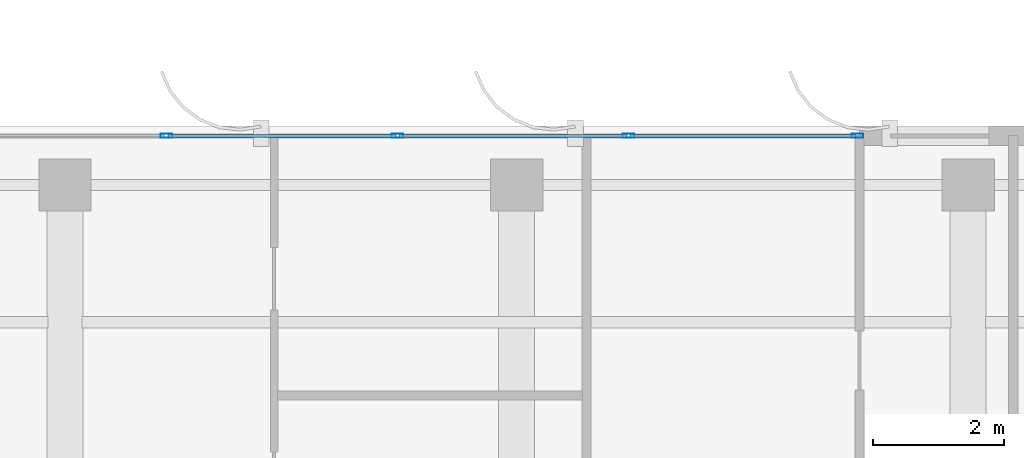
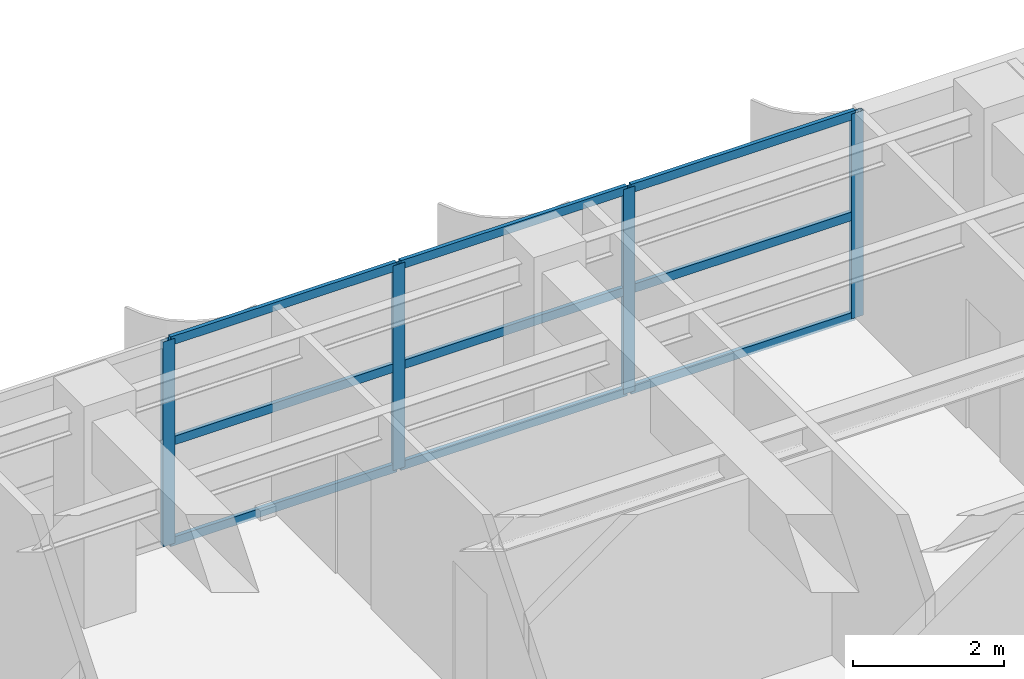
# One storey, part 15 of 22: 13 members, 1 element without a shape of its own.
"""IFC4 building model written with IfcOpenShell, lengths in metres."""

from ifc_helpers import new_model, si_unit, direction, frame, origin, origin_2d, place, context, subcontext, project, spatial, hollow_rectangle, extrude, source, transform, mapped, material, layer, layer_set, material_profile, profile_set, type_object, element, aggregate, save


model = new_model("IFC4")

# Units and contexts
model_context = context("Model", 3, precision=1e-05, world=origin(), true_north=direction((0.0, 1.0)))
body_context = subcontext(model_context, "Body", "Model", "MODEL_VIEW")
ifc_project = project(units=[si_unit("LENGTHUNIT", "METRE"), si_unit("AREAUNIT", "SQUARE_METRE"), si_unit("VOLUMEUNIT", "CUBIC_METRE"), si_unit("PLANEANGLEUNIT", "RADIAN"), si_unit("MASSUNIT", "GRAM", prefix="KILO")], contexts=[model_context])

# Site, building, storey
site_placement = place(None, origin())
site = spatial("IfcSite", under=ifc_project, at=site_placement, CompositionType="ELEMENT")
building_placement = place(site_placement, origin())
building = spatial("IfcBuilding", under=site, at=building_placement, Name="Khoralis Quay Care Tower", CompositionType="ELEMENT")
storey_placement = place(building_placement, frame((0.0, 0.0, 278.10009765625)))
storey = spatial("IfcBuildingStorey", under=building, at=storey_placement, Name="L73", CompositionType="ELEMENT", Elevation=278.10009765625)

# Curtain wall, members
ifc_material = material(Name="Pale anodised aluminium", Category="aluminium")
ifc_layer = layer(ifc_material, 0.159912109375)
ifc_layer_set = layer_set([ifc_layer], Name="Pale anodised aluminium")
curtain_wall_type = type_object("IfcCurtainWallType", Name="CW-SYS-Z3", PredefinedType="NOTDEFINED", material=ifc_layer_set)
curtain_wall_placement = place(storey_placement, origin())
curtain_wall = element("IfcCurtainWall", 1, at=curtain_wall_placement, inside=storey, type_object=curtain_wall_type, Name="L73 Unitised Curtain Wall CW-L73-P1-E10", PredefinedType="NOTDEFINED")
ifc_material_profile_1 = material_profile(ifc_material, hollow_rectangle(XDim=0.06494140625, YDim=0.179931640625, WallThickness=0.00390625, at=origin_2d()), Name="Pale anodised aluminium")
ifc_profile_set_1 = profile_set([ifc_material_profile_1], Name="Pale anodised aluminium")
member_type_1 = type_object("IfcMemberType", Name="CW-MUL-180", PredefinedType="MULLION", material=ifc_profile_set_1)
shared_shape_1 = source(origin(), body_context, "Body", "SweptSolid", [
    extrude(hollow_rectangle(XDim=0.06494140625, YDim=0.179931640625, WallThickness=0.00390625, at=origin_2d()), origin(), (0.0, 0.0, 1.0), 3.31982421875),
])
member_1_placement = place(storey_placement, frame((29.2099609375, 41.85009765625, 0.0), z_axis=(0.0, 0.0, 1.0), x_axis=(0.0, -1.0, 0.0)))
member_1 = element("IfcMember", 2, at=member_1_placement, type_object=member_type_1, Name="CW3 mullion 1", PredefinedType="MULLION", context=body_context, shape_type="MappedRepresentation", body=[
    mapped(shared_shape_1, transform((0.0, 0.0, 0.0), scale=1.0)),
])
member_2_placement = place(storey_placement, frame((25.7099609375, 41.85009765625, 0.0), z_axis=(0.0, 0.0, 1.0), x_axis=(0.0, -1.0, 0.0)))
member_2 = element("IfcMember", 3, at=member_2_placement, type_object=member_type_1, Name="CW3 mullion 2", PredefinedType="MULLION", context=body_context, shape_type="MappedRepresentation", body=[
    mapped(shared_shape_1, transform((0.0, 0.0, 0.0), scale=1.0)),
])
member_3_placement = place(storey_placement, frame((22.179931640625, 41.85009765625, 0.0), z_axis=(0.0, 0.0, 1.0), x_axis=(0.0, -1.0, 0.0)))
member_3 = element("IfcMember", 4, at=member_3_placement, type_object=member_type_1, Name="CW3 mullion 3", PredefinedType="MULLION", context=body_context, shape_type="MappedRepresentation", body=[
    mapped(shared_shape_1, transform((0.0, 0.0, 0.0), scale=1.0)),
])
member_4_placement = place(storey_placement, frame((18.64990234375, 41.85009765625, 0.0), z_axis=(0.0, 0.0, 1.0), x_axis=(0.0, -1.0, 0.0)))
member_4 = element("IfcMember", 5, at=member_4_placement, type_object=member_type_1, Name="CW3 mullion 4", PredefinedType="MULLION", context=body_context, shape_type="MappedRepresentation", body=[
    mapped(shared_shape_1, transform((0.0, 0.0, 0.0), scale=1.0)),
])
ifc_material_profile_2 = material_profile(ifc_material, hollow_rectangle(XDim=0.06005859375, YDim=0.139892578125, WallThickness=0.00390625, at=origin_2d()), Name="Pale anodised aluminium")
ifc_profile_set_2 = profile_set([ifc_material_profile_2], Name="Pale anodised aluminium")
member_type_2 = type_object("IfcMemberType", Name="CW-TRN-140", PredefinedType="USERDEFINED", material=ifc_profile_set_2)
shared_shape_2 = source(origin(), body_context, "Body", "SweptSolid", [
    extrude(hollow_rectangle(XDim=0.06005859375, YDim=0.139892578125, WallThickness=0.00390625, at=origin_2d()), origin(), (0.0, 0.0, 1.0), 3.469970703125),
])
member_5_placement = place(storey_placement, frame((25.679931640625, 41.85009765625, 0.02978515625), z_axis=(-1.0, 0.0, 0.0), x_axis=(0.0, -1.0, 0.0)))
member_5 = element("IfcMember", 6, at=member_5_placement, type_object=member_type_2, Name="CW3 transom 2.1", ObjectType="TRANSOM", PredefinedType="USERDEFINED", context=body_context, shape_type="MappedRepresentation", body=[
    mapped(shared_shape_2, transform((0.0, 0.0, 0.0), scale=1.0)),
])
member_6_placement = place(storey_placement, frame((25.679931640625, 41.85009765625, 1.659912109375), z_axis=(-1.0, 0.0, 0.0), x_axis=(0.0, -1.0, 0.0)))
member_6 = element("IfcMember", 7, at=member_6_placement, type_object=member_type_2, Name="CW3 transom 2.2", ObjectType="TRANSOM", PredefinedType="USERDEFINED", context=body_context, shape_type="MappedRepresentation", body=[
    mapped(shared_shape_2, transform((0.0, 0.0, 0.0), scale=1.0)),
])
member_7_placement = place(storey_placement, frame((25.679931640625, 41.85009765625, 3.289794921875), z_axis=(-1.0, 0.0, 0.0), x_axis=(0.0, -1.0, 0.0)))
member_7 = element("IfcMember", 8, at=member_7_placement, type_object=member_type_2, Name="CW3 transom 2.3", ObjectType="TRANSOM", PredefinedType="USERDEFINED", context=body_context, shape_type="MappedRepresentation", body=[
    mapped(shared_shape_2, transform((0.0, 0.0, 0.0), scale=1.0)),
])
member_8_placement = place(storey_placement, frame((22.14990234375, 41.85009765625, 0.02978515625), z_axis=(-1.0, 0.0, 0.0), x_axis=(0.0, -1.0, 0.0)))
member_8 = element("IfcMember", 9, at=member_8_placement, type_object=member_type_2, Name="CW3 transom 3.1", ObjectType="TRANSOM", PredefinedType="USERDEFINED", context=body_context, shape_type="MappedRepresentation", body=[
    mapped(shared_shape_2, transform((0.0, 0.0, 0.0), scale=1.0)),
])
member_9_placement = place(storey_placement, frame((22.14990234375, 41.85009765625, 1.659912109375), z_axis=(-1.0, 0.0, 0.0), x_axis=(0.0, -1.0, 0.0)))
member_9 = element("IfcMember", 10, at=member_9_placement, type_object=member_type_2, Name="CW3 transom 3.2", ObjectType="TRANSOM", PredefinedType="USERDEFINED", context=body_context, shape_type="MappedRepresentation", body=[
    mapped(shared_shape_2, transform((0.0, 0.0, 0.0), scale=1.0)),
])
member_10_placement = place(storey_placement, frame((22.14990234375, 41.85009765625, 3.289794921875), z_axis=(-1.0, 0.0, 0.0), x_axis=(0.0, -1.0, 0.0)))
member_10 = element("IfcMember", 11, at=member_10_placement, type_object=member_type_2, Name="CW3 transom 3.3", ObjectType="TRANSOM", PredefinedType="USERDEFINED", context=body_context, shape_type="MappedRepresentation", body=[
    mapped(shared_shape_2, transform((0.0, 0.0, 0.0), scale=1.0)),
])
shared_shape_3 = source(origin(), body_context, "Body", "SweptSolid", [
    extrude(hollow_rectangle(XDim=0.06005859375, YDim=0.139892578125, WallThickness=0.00390625, at=origin_2d()), origin(), (0.0, 0.0, 1.0), 3.43994140625),
])
member_11_placement = place(storey_placement, frame((29.179931640625, 41.85009765625, 0.02978515625), z_axis=(-1.0, 0.0, 0.0), x_axis=(0.0, -1.0, 0.0)))
member_11 = element("IfcMember", 12, at=member_11_placement, type_object=member_type_2, Name="CW3 transom 1.1", ObjectType="TRANSOM", PredefinedType="USERDEFINED", context=body_context, shape_type="MappedRepresentation", body=[
    mapped(shared_shape_3, transform((0.0, 0.0, 0.0), scale=1.0)),
])
member_12_placement = place(storey_placement, frame((29.179931640625, 41.85009765625, 1.659912109375), z_axis=(-1.0, 0.0, 0.0), x_axis=(0.0, -1.0, 0.0)))
member_12 = element("IfcMember", 13, at=member_12_placement, type_object=member_type_2, Name="CW3 transom 1.2", ObjectType="TRANSOM", PredefinedType="USERDEFINED", context=body_context, shape_type="MappedRepresentation", body=[
    mapped(shared_shape_3, transform((0.0, 0.0, 0.0), scale=1.0)),
])
member_13_placement = place(storey_placement, frame((29.179931640625, 41.85009765625, 3.289794921875), z_axis=(-1.0, 0.0, 0.0), x_axis=(0.0, -1.0, 0.0)))
member_13 = element("IfcMember", 14, at=member_13_placement, type_object=member_type_2, Name="CW3 transom 1.3", ObjectType="TRANSOM", PredefinedType="USERDEFINED", context=body_context, shape_type="MappedRepresentation", body=[
    mapped(shared_shape_3, transform((0.0, 0.0, 0.0), scale=1.0)),
])
aggregate(curtain_wall, [member_1, member_2, member_3, member_4, member_11, member_12, member_13, member_5, member_6, member_7, member_8, member_9, member_10])

save(model, "model.ifc")
